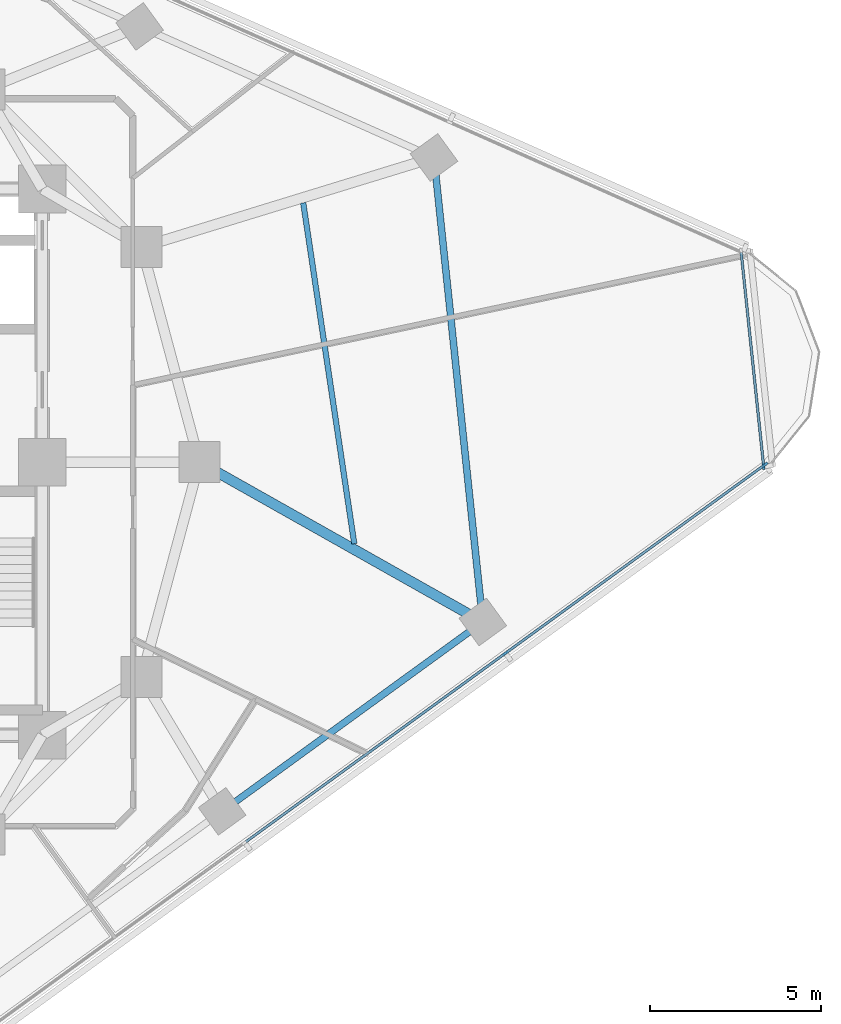
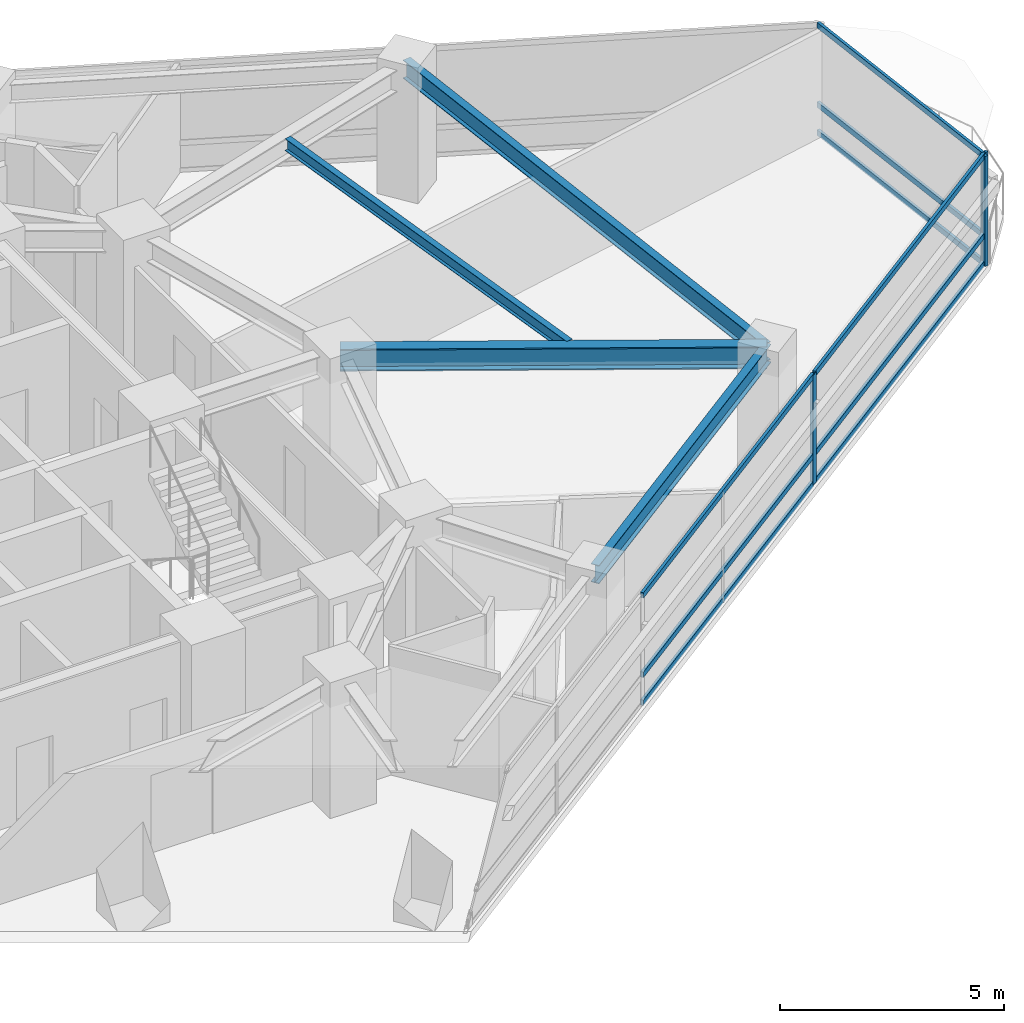
# One storey, part 4 of 14: 12 members, 4 beams, 2 elements without a shape of their own.
"""IFC4 building model written with IfcOpenShell, lengths in metres."""

from ifc_helpers import new_model, si_unit, direction, frame, origin, origin_2d, place, context, subcontext, project, spatial, rectangle, i_section, extrude, material, layer, layer_set, material_profile, profile_set, type_object, element, aggregate, save


model = new_model("IFC4")

# Units and contexts
model_context = context("Model", 3, precision=1e-05, world=origin(), true_north=direction((0.0, 1.0)))
body_context = subcontext(model_context, "Body", "Model", "MODEL_VIEW")
ifc_project = project(units=[si_unit("LENGTHUNIT", "METRE"), si_unit("AREAUNIT", "SQUARE_METRE"), si_unit("VOLUMEUNIT", "CUBIC_METRE"), si_unit("PLANEANGLEUNIT", "RADIAN"), si_unit("MASSUNIT", "GRAM", prefix="KILO")], contexts=[model_context])

# Site, building, storey
site_placement = place(None, origin())
site = spatial("IfcSite", under=ifc_project, at=site_placement, CompositionType="ELEMENT")
building_placement = place(site_placement, origin())
building = spatial("IfcBuilding", under=site, at=building_placement, Name="Terralouvre Media Tower", CompositionType="ELEMENT")
storey_placement = place(building_placement, frame((0.0, 0.0, 169.39990234375)))
storey = spatial("IfcBuildingStorey", under=building, at=storey_placement, Name="L43", CompositionType="ELEMENT", Elevation=169.39990234375)

# Beam
ifc_material_1 = material(Name="Structural steel S355J2", Category="steel")
ifc_material_profile_1 = material_profile(ifc_material_1, i_section(OverallWidth=0.159912109375, OverallDepth=0.330078125, WebThickness=0.007568359375, FlangeThickness=0.011474609375, at=origin_2d()), Name="IPE 330")
ifc_profile_set_1 = profile_set([ifc_material_profile_1], Name="Structural steel S355J2")
beam_type_1 = type_object("IfcBeamType", Name="Composite Floor Joist J-IPE330 (IPE 330)", PredefinedType="JOIST", material=ifc_profile_set_1)
beam_1_placement = place(storey_placement, frame((17.1396484375, -2.38916015625, 3.335205078125), z_axis=(-0.148174915539, 0.988961169311, 0.0), x_axis=(-0.988961169311, -0.148174915539, 0.0)))
element("IfcBeam", 1, at=beam_1_placement, inside=storey, type_object=beam_type_1, Name="L43 Framing Beam JT-L43-03", PredefinedType="JOIST", context=body_context, shape_type="SweptSolid", body=[
    extrude(i_section(OverallWidth=0.159912109375, OverallDepth=0.330078125, WebThickness=0.007568359375, FlangeThickness=0.011474609375, at=origin_2d()), origin(), (0.0, 0.0, 1.0), 10.096923828125),
])

# Curtain wall, members
ifc_material_2 = material(Name="Low-iron laminated double glazing with solar-control coating", Category="glass")
ifc_layer_1 = layer(ifc_material_2, 0.1650390625, Name="Production Studio Tower Curtain Wall CW-03")
ifc_layer_set_1 = layer_set([ifc_layer_1], Name="Low-iron laminated double glazing with solar-control coating")
curtain_wall_type_1 = type_object("IfcCurtainWallType", Name="Production Studio Tower Curtain Wall CW-03", PredefinedType="NOTDEFINED", material=ifc_layer_set_1)
curtain_wall_1_placement = place(storey_placement, origin())
curtain_wall_1 = element("IfcCurtainWall", 2, at=curtain_wall_1_placement, inside=storey, type_object=curtain_wall_type_1, Name="L43 Facade Curtain Wall F0", PredefinedType="NOTDEFINED")
ifc_material_3 = material(Name="Anodised extruded aluminium 6063-T6", Category="aluminium")
ifc_material_profile_2 = material_profile(ifc_material_3, rectangle(XDim=0.074951171875, YDim=0.14990234375, at=origin_2d()), Name="ALU 75x150")
ifc_profile_set_2 = profile_set([ifc_material_profile_2], Name="Anodised extruded aluminium 6063-T6")
member_type_1 = type_object("IfcMemberType", Name="Curtain-Wall Horizontal Transom TR-150", PredefinedType="USERDEFINED", material=ifc_profile_set_2)
member_1_placement = place(storey_placement, frame((13.9619140625, -11.123046875, 0.03759765625), z_axis=(0.809023450607, 0.587776365948, 0.0), x_axis=(-0.587776365948, 0.809023450607, 0.0)))
member_1 = element("IfcMember", 3, at=member_1_placement, type_object=member_type_1, Name="CW-03 transom 4.1", ObjectType="TRANSOM", PredefinedType="USERDEFINED", context=body_context, shape_type="SweptSolid", body=[
    extrude(rectangle(XDim=0.074951171875, YDim=0.14990234375, at=origin_2d()), origin(), (0.0, 0.0, 1.0), 9.365234375),
])
member_2_placement = place(storey_placement, frame((13.9619140625, -11.123046875, 0.800048828125), z_axis=(0.809023450607, 0.587776365948, 0.0), x_axis=(-0.587776365948, 0.809023450607, 0.0)))
member_2 = element("IfcMember", 4, at=member_2_placement, type_object=member_type_1, Name="CW-03 transom 4.2", ObjectType="TRANSOM", PredefinedType="USERDEFINED", context=body_context, shape_type="SweptSolid", body=[
    extrude(rectangle(XDim=0.074951171875, YDim=0.14990234375, at=origin_2d()), origin(), (0.0, 0.0, 1.0), 9.365234375),
])
member_3_placement = place(storey_placement, frame((13.9619140625, -11.123046875, 2.962646484375), z_axis=(0.809023450607, 0.587776365948, 0.0), x_axis=(-0.587776365948, 0.809023450607, 0.0)))
member_3 = element("IfcMember", 5, at=member_3_placement, type_object=member_type_1, Name="CW-03 transom 4.3", ObjectType="TRANSOM", PredefinedType="USERDEFINED", context=body_context, shape_type="SweptSolid", body=[
    extrude(rectangle(XDim=0.074951171875, YDim=0.14990234375, at=origin_2d()), origin(), (0.0, 0.0, 1.0), 9.365234375),
])
member_4_placement = place(storey_placement, frame((21.59912109375, -5.574462890625, 0.03759765625), z_axis=(0.809013297727, 0.587790340259, 0.0), x_axis=(-0.587790340259, 0.809013297727, 0.0)))
member_4 = element("IfcMember", 6, at=member_4_placement, type_object=member_type_1, Name="CW-03 transom 5.1", ObjectType="TRANSOM", PredefinedType="USERDEFINED", context=body_context, shape_type="SweptSolid", body=[
    extrude(rectangle(XDim=0.074951171875, YDim=0.14990234375, at=origin_2d()), origin(), (0.0, 0.0, 1.0), 9.32763671875),
])
member_5_placement = place(storey_placement, frame((21.59912109375, -5.574462890625, 0.800048828125), z_axis=(0.809013297727, 0.587790340259, 0.0), x_axis=(-0.587790340259, 0.809013297727, 0.0)))
member_5 = element("IfcMember", 7, at=member_5_placement, type_object=member_type_1, Name="CW-03 transom 5.2", ObjectType="TRANSOM", PredefinedType="USERDEFINED", context=body_context, shape_type="SweptSolid", body=[
    extrude(rectangle(XDim=0.074951171875, YDim=0.14990234375, at=origin_2d()), origin(), (0.0, 0.0, 1.0), 9.32763671875),
])
member_6_placement = place(storey_placement, frame((21.59912109375, -5.574462890625, 2.962646484375), z_axis=(0.809013297727, 0.587790340259, 0.0), x_axis=(-0.587790340259, 0.809013297727, 0.0)))
member_6 = element("IfcMember", 8, at=member_6_placement, type_object=member_type_1, Name="CW-03 transom 5.3", ObjectType="TRANSOM", PredefinedType="USERDEFINED", context=body_context, shape_type="SweptSolid", body=[
    extrude(rectangle(XDim=0.074951171875, YDim=0.14990234375, at=origin_2d()), origin(), (0.0, 0.0, 1.0), 9.32763671875),
])

ifc_material_4 = material(Name="Low-iron laminated double glazing with solar-control coating", Category="glass")
ifc_layer_2 = layer(ifc_material_4, 0.1650390625, Name="Rounded Wind-Corner Curved Glazing CW-04")
ifc_layer_set_2 = layer_set([ifc_layer_2], Name="Low-iron laminated double glazing with solar-control coating")
curtain_wall_type_2 = type_object("IfcCurtainWallType", Name="Rounded Wind-Corner Curved Glazing CW-04", PredefinedType="NOTDEFINED", material=ifc_layer_set_2)
curtain_wall_2_placement = place(storey_placement, origin())
curtain_wall_2 = element("IfcCurtainWall", 9, at=curtain_wall_2_placement, inside=storey, type_object=curtain_wall_type_2, Name="L43 Rounded Wind-Corner Curtain Wall C1", PredefinedType="NOTDEFINED")
member_7_placement = place(storey_placement, frame((29.12939453125, -0.0849609375, 0.03759765625), z_axis=(-0.104542643073, 0.994520404908, 0.0), x_axis=(-0.994520404908, -0.104542643073, 0.0)))
member_7 = element("IfcMember", 10, at=member_7_placement, type_object=member_type_1, Name="CW-04 transom 1.1", ObjectType="TRANSOM", PredefinedType="USERDEFINED", context=body_context, shape_type="SweptSolid", body=[
    extrude(rectangle(XDim=0.074951171875, YDim=0.14990234375, at=origin_2d()), origin(), (0.0, 0.0, 1.0), 6.258544921875),
])
member_8_placement = place(storey_placement, frame((29.12939453125, -0.0849609375, 0.800048828125), z_axis=(-0.104542643073, 0.994520404908, 0.0), x_axis=(-0.994520404908, -0.104542643073, 0.0)))
member_8 = element("IfcMember", 11, at=member_8_placement, type_object=member_type_1, Name="CW-04 transom 1.2", ObjectType="TRANSOM", PredefinedType="USERDEFINED", context=body_context, shape_type="SweptSolid", body=[
    extrude(rectangle(XDim=0.074951171875, YDim=0.14990234375, at=origin_2d()), origin(), (0.0, 0.0, 1.0), 6.258544921875),
])
member_9_placement = place(storey_placement, frame((29.12939453125, -0.0849609375, 2.962646484375), z_axis=(-0.104542643073, 0.994520404908, 0.0), x_axis=(-0.994520404908, -0.104542643073, 0.0)))
member_9 = element("IfcMember", 12, at=member_9_placement, type_object=member_type_1, Name="CW-04 transom 1.3", ObjectType="TRANSOM", PredefinedType="USERDEFINED", context=body_context, shape_type="SweptSolid", body=[
    extrude(rectangle(XDim=0.074951171875, YDim=0.14990234375, at=origin_2d()), origin(), (0.0, 0.0, 1.0), 6.258544921875),
])

# Member
ifc_material_5 = material(Name="Anodised extruded aluminium 6063-T6", Category="aluminium")
ifc_material_profile_3 = material_profile(ifc_material_5, rectangle(XDim=0.074951171875, YDim=0.179931640625, at=origin_2d()), Name="ALU 75x180")
ifc_profile_set_3 = profile_set([ifc_material_profile_3], Name="Anodised extruded aluminium 6063-T6")
member_type_2 = type_object("IfcMemberType", Name="Curtain-Wall Vertical Mullion ML-180", PredefinedType="MULLION", material=ifc_profile_set_3)
member_10_placement = place(storey_placement, frame((21.56884765625, -5.596435546875, 0.0), z_axis=(0.0, 0.0, 1.0), x_axis=(-0.587785358263, 0.809016917383, 0.0)))
member_10 = element("IfcMember", 13, at=member_10_placement, type_object=member_type_2, Name="CW-03 mullion 5", PredefinedType="MULLION", context=body_context, shape_type="SweptSolid", body=[
    extrude(rectangle(XDim=0.074951171875, YDim=0.179931640625, at=origin_2d()), origin(), (0.0, 0.0, 1.0), 3.0),
])

member_11_placement = place(storey_placement, frame((29.175537109375, -0.06982421875, 0.0), z_axis=(0.0, 0.0, 1.0), x_axis=(-0.587785358263, 0.809016917383, 0.0)))
member_11 = element("IfcMember", 14, at=member_11_placement, type_object=member_type_2, Name="CW-03 mullion 6", PredefinedType="MULLION", context=body_context, shape_type="SweptSolid", body=[
    extrude(rectangle(XDim=0.074951171875, YDim=0.179931640625, at=origin_2d()), origin(), (0.0, 0.0, 1.0), 3.0),
])

aggregate(curtain_wall_1, [member_10, member_11, member_1, member_2, member_3, member_4, member_5, member_6])

member_12_placement = place(storey_placement, frame((29.13330078125, -0.122314453125, 0.0), z_axis=(0.0, 0.0, 1.0), x_axis=(-0.994521891172, -0.10452850319, 0.0)))
member_12 = element("IfcMember", 15, at=member_12_placement, type_object=member_type_2, Name="CW-04 mullion 1", PredefinedType="MULLION", context=body_context, shape_type="SweptSolid", body=[
    extrude(rectangle(XDim=0.074951171875, YDim=0.179931640625, at=origin_2d()), origin(), (0.0, 0.0, 1.0), 3.0),
])

aggregate(curtain_wall_2, [member_12, member_7, member_8, member_9])

# Beams
ifc_material_6 = material(Name="Structural steel S355J2", Category="steel")
ifc_material_profile_4 = material_profile(ifc_material_6, i_section(OverallWidth=0.199951171875, OverallDepth=0.5, WebThickness=0.01025390625, FlangeThickness=0.01611328125, at=origin_2d()), Name="IPE 500")
ifc_profile_set_4 = profile_set([ifc_material_profile_4], Name="Structural steel S355J2")
beam_type_2 = type_object("IfcBeamType", Name="Perimeter Spandrel Beam SPB-500 (IPE 500)", PredefinedType="SPANDREL", material=ifc_profile_set_4)
beam_2_placement = place(storey_placement, frame((13.267578125, -10.23095703125, 3.25), z_axis=(0.809016709277, 0.587785644696, 0.0), x_axis=(-0.587785644696, 0.809016709277, 0.0)))
element("IfcBeam", 16, at=beam_2_placement, inside=storey, type_object=beam_type_2, Name="L43 Framing Beam BM-L43-PR05", PredefinedType="SPANDREL", context=body_context, shape_type="SweptSolid", body=[
    extrude(i_section(OverallWidth=0.199951171875, OverallDepth=0.5, WebThickness=0.01025390625, FlangeThickness=0.01611328125, at=origin_2d()), origin(), (0.0, 0.0, 1.0), 9.439697265625),
])
beam_3_placement = place(storey_placement, frame((20.904541015625, -4.682373046875, 3.25), z_axis=(-0.104517607269, 0.99452303632, 0.0), x_axis=(-0.99452303632, -0.104517607269, 0.0)))
element("IfcBeam", 17, at=beam_3_placement, inside=storey, type_object=beam_type_2, Name="L43 Framing Beam BM-L43-PR06", PredefinedType="SPANDREL", context=body_context, shape_type="SweptSolid", body=[
    extrude(i_section(OverallWidth=0.199951171875, OverallDepth=0.5, WebThickness=0.01025390625, FlangeThickness=0.01611328125, at=origin_2d()), origin(), (0.0, 0.0, 1.0), 13.68359375),
])
ifc_material_7 = material(Name="Structural steel S460M", Category="steel")
ifc_material_profile_5 = material_profile(ifc_material_7, i_section(OverallWidth=0.300048828125, OverallDepth=0.60009765625, WebThickness=0.015380859375, FlangeThickness=0.030029296875, at=origin_2d()), Name="HEB 600")
ifc_profile_set_5 = profile_set([ifc_material_profile_5], Name="Structural steel S460M")
beam_type_3 = type_object("IfcBeamType", Name="Primary Floor Girder B-HEB600 (HEB 600)", PredefinedType="BEAM", material=ifc_profile_set_5)
beam_4_placement = place(storey_placement, frame((12.60009765625, 0.0, 3.2001953125), z_axis=(0.871076516642, -0.491147332432, 0.0), x_axis=(0.491147332432, 0.871076516642, 0.0)))
element("IfcBeam", 18, at=beam_4_placement, inside=storey, type_object=beam_type_3, Name="L43 Framing Beam BM-L43-RD06", PredefinedType="BEAM", context=body_context, shape_type="SweptSolid", body=[
    extrude(i_section(OverallWidth=0.300048828125, OverallDepth=0.60009765625, WebThickness=0.015380859375, FlangeThickness=0.030029296875, at=origin_2d()), origin(), (0.0, 0.0, 1.0), 9.533447265625),
])

save(model, "model.ifc")
